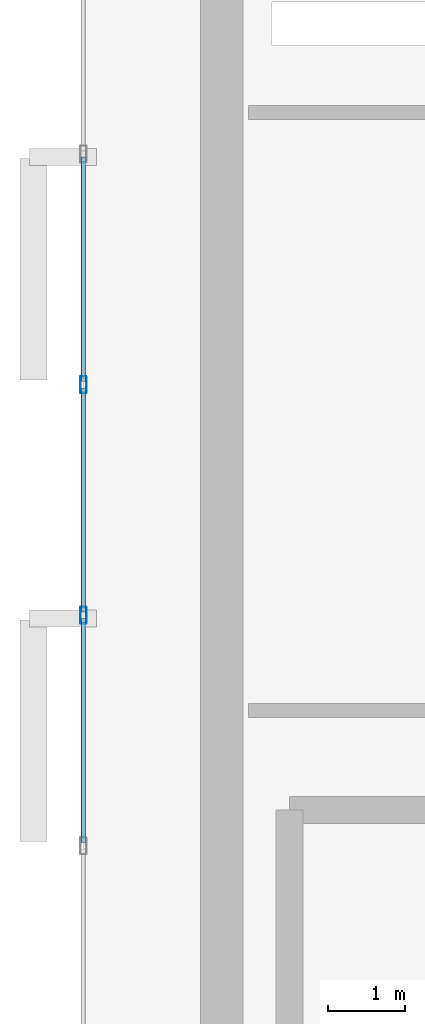
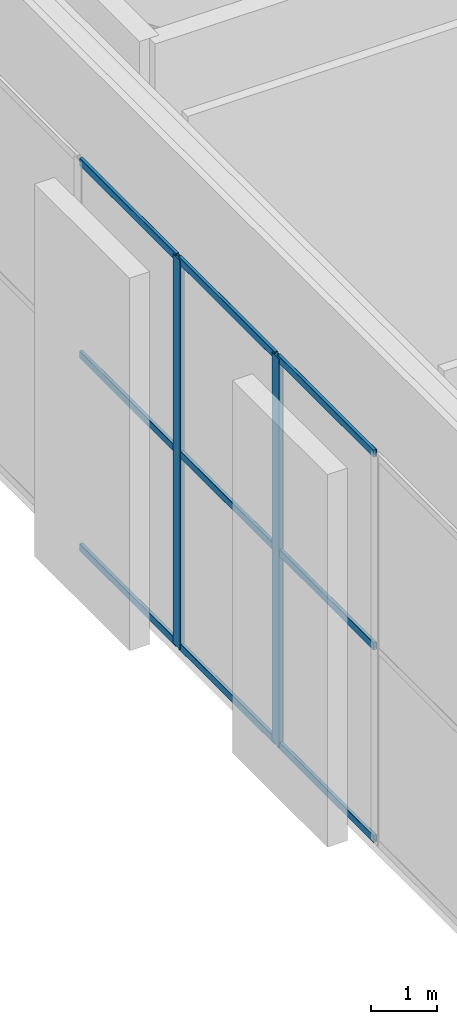
# One storey, part 3 of 20: 11 members, 1 element without a shape of its own.
"""IFC4 building model written with IfcOpenShell, lengths in metres."""

from ifc_helpers import new_model, si_unit, direction, frame, origin, origin_2d, place, context, subcontext, project, spatial, hollow_rectangle, extrude, material, layer, layer_set, material_profile, profile_set, type_object, element, aggregate, save


model = new_model("IFC4")

# Units and contexts
model_context = context("Model", 3, precision=1e-05, world=origin(), true_north=direction((0.0, 1.0)))
body_context = subcontext(model_context, "Body", "Model", "MODEL_VIEW")
ifc_project = project(units=[si_unit("LENGTHUNIT", "METRE"), si_unit("AREAUNIT", "SQUARE_METRE"), si_unit("VOLUMEUNIT", "CUBIC_METRE"), si_unit("PLANEANGLEUNIT", "RADIAN"), si_unit("MASSUNIT", "GRAM", prefix="KILO")], contexts=[model_context])

# Site, building, storey
site_placement = place(None, origin())
site = spatial("IfcSite", under=ifc_project, at=site_placement, CompositionType="ELEMENT")
building_placement = place(site_placement, origin())
building = spatial("IfcBuilding", under=site, at=building_placement, Name="An Khanh Terracotta Commons", CompositionType="ELEMENT")
storey_placement = place(building_placement, frame((0.0, 0.0, 308.0)))
storey = spatial("IfcBuildingStorey", under=building, at=storey_placement, Name="L79 Crown Damper Gallery", CompositionType="ELEMENT", Elevation=308.0)

# Curtain wall, members
ifc_material = material(Name="Anodised Aluminium 6063-T6", Category="aluminium")
ifc_layer = layer(ifc_material, 0.25, Name="Anodised Aluminium 6063-T6")
ifc_layer_set = layer_set([ifc_layer], Name="Anodised Aluminium 6063-T6")
curtain_wall_type = type_object("IfcCurtainWallType", Name="CW-SYS-05", PredefinedType="USERDEFINED", material=ifc_layer_set)
curtain_wall_placement = place(storey_placement, origin())
curtain_wall = element("IfcCurtainWall", 1, at=curtain_wall_placement, inside=storey, type_object=curtain_wall_type, Name="L79 Crown Damper Gallery CW-05 Unitised Curtain Wall CW-L79-24", ObjectType="UNITISED CURTAIN WALL", PredefinedType="USERDEFINED")
ifc_material_profile_1 = material_profile(ifc_material, hollow_rectangle(XDim=0.080078125, YDim=0.219970703125, WallThickness=0.0048828125, InnerFilletRadius=0.0048828125, OuterFilletRadius=0.010009765625, at=origin_2d()), Name="RHS220x80x5")
ifc_profile_set_1 = profile_set([ifc_material_profile_1], Name="Anodised Aluminium 6063-T6")
member_type_1 = type_object("IfcMemberType", Name="CWM-RHS220x80x5", PredefinedType="MULLION", material=ifc_profile_set_1)
member_1_placement = place(storey_placement, frame((19.800048828125, 24.0, 0.0), z_axis=(0.0, 0.0, 1.0), x_axis=(1.0, 0.0, 0.0)))
member_1 = element("IfcMember", 2, at=member_1_placement, type_object=member_type_1, Name="CW-05 mullion 4", PredefinedType="MULLION", context=body_context, shape_type="SweptSolid", body=[
    extrude(hollow_rectangle(XDim=0.080078125, YDim=0.219970703125, WallThickness=0.0048828125, InnerFilletRadius=0.0048828125, OuterFilletRadius=0.010009765625, at=origin_2d()), origin(), (0.0, 0.0, 1.0), 7.199951171875),
])
member_2_placement = place(storey_placement, frame((19.800048828125, 21.0, 0.0), z_axis=(0.0, 0.0, 1.0), x_axis=(1.0, 0.0, 0.0)))
member_2 = element("IfcMember", 3, at=member_2_placement, type_object=member_type_1, Name="CW-05 mullion 5", PredefinedType="MULLION", context=body_context, shape_type="SweptSolid", body=[
    extrude(hollow_rectangle(XDim=0.080078125, YDim=0.219970703125, WallThickness=0.0048828125, InnerFilletRadius=0.0048828125, OuterFilletRadius=0.010009765625, at=origin_2d()), origin(), (0.0, 0.0, 1.0), 7.199951171875),
])
ifc_material_profile_2 = material_profile(ifc_material, hollow_rectangle(XDim=0.06005859375, YDim=0.135009765625, WallThickness=0.003662109375, InnerFilletRadius=0.003662109375, OuterFilletRadius=0.007080078125, at=origin_2d()), Name="RHS135x60x3.6")
ifc_profile_set_2 = profile_set([ifc_material_profile_2], Name="Anodised Aluminium 6063-T6")
member_type_2 = type_object("IfcMemberType", Name="CWT-RHS135x60x3.6", PredefinedType="USERDEFINED", material=ifc_profile_set_2)
member_3_placement = place(storey_placement, frame((19.800048828125, 26.9599609375, 0.030029296875), z_axis=(0.0, -1.0, 0.0), x_axis=(1.0, 0.0, 0.0)))
member_3 = element("IfcMember", 4, at=member_3_placement, type_object=member_type_2, Name="CW-05 transom 3.1", ObjectType="TRANSOM", PredefinedType="USERDEFINED", context=body_context, shape_type="SweptSolid", body=[
    extrude(hollow_rectangle(XDim=0.06005859375, YDim=0.135009765625, WallThickness=0.003662109375, InnerFilletRadius=0.003662109375, OuterFilletRadius=0.007080078125, at=origin_2d()), origin(), (0.0, 0.0, 1.0), 2.919921875),
])
member_4_placement = place(storey_placement, frame((19.800048828125, 26.9599609375, 3.60009765625), z_axis=(0.0, -1.0, 0.0), x_axis=(1.0, 0.0, 0.0)))
member_4 = element("IfcMember", 5, at=member_4_placement, type_object=member_type_2, Name="CW-05 transom 3.2", ObjectType="TRANSOM", PredefinedType="USERDEFINED", context=body_context, shape_type="SweptSolid", body=[
    extrude(hollow_rectangle(XDim=0.06005859375, YDim=0.135009765625, WallThickness=0.003662109375, InnerFilletRadius=0.003662109375, OuterFilletRadius=0.007080078125, at=origin_2d()), origin(), (0.0, 0.0, 1.0), 2.919921875),
])
member_5_placement = place(storey_placement, frame((19.800048828125, 26.9599609375, 7.169921875), z_axis=(0.0, -1.0, 0.0), x_axis=(1.0, 0.0, 0.0)))
member_5 = element("IfcMember", 6, at=member_5_placement, type_object=member_type_2, Name="CW-05 transom 3.3", ObjectType="TRANSOM", PredefinedType="USERDEFINED", context=body_context, shape_type="SweptSolid", body=[
    extrude(hollow_rectangle(XDim=0.06005859375, YDim=0.135009765625, WallThickness=0.003662109375, InnerFilletRadius=0.003662109375, OuterFilletRadius=0.007080078125, at=origin_2d()), origin(), (0.0, 0.0, 1.0), 2.919921875),
])
member_6_placement = place(storey_placement, frame((19.800048828125, 23.9599609375, 0.030029296875), z_axis=(0.0, -1.0, 0.0), x_axis=(1.0, 0.0, 0.0)))
member_6 = element("IfcMember", 7, at=member_6_placement, type_object=member_type_2, Name="CW-05 transom 4.1", ObjectType="TRANSOM", PredefinedType="USERDEFINED", context=body_context, shape_type="SweptSolid", body=[
    extrude(hollow_rectangle(XDim=0.06005859375, YDim=0.135009765625, WallThickness=0.003662109375, InnerFilletRadius=0.003662109375, OuterFilletRadius=0.007080078125, at=origin_2d()), origin(), (0.0, 0.0, 1.0), 2.919921875),
])
member_7_placement = place(storey_placement, frame((19.800048828125, 23.9599609375, 3.60009765625), z_axis=(0.0, -1.0, 0.0), x_axis=(1.0, 0.0, 0.0)))
member_7 = element("IfcMember", 8, at=member_7_placement, type_object=member_type_2, Name="CW-05 transom 4.2", ObjectType="TRANSOM", PredefinedType="USERDEFINED", context=body_context, shape_type="SweptSolid", body=[
    extrude(hollow_rectangle(XDim=0.06005859375, YDim=0.135009765625, WallThickness=0.003662109375, InnerFilletRadius=0.003662109375, OuterFilletRadius=0.007080078125, at=origin_2d()), origin(), (0.0, 0.0, 1.0), 2.919921875),
])
member_8_placement = place(storey_placement, frame((19.800048828125, 23.9599609375, 7.169921875), z_axis=(0.0, -1.0, 0.0), x_axis=(1.0, 0.0, 0.0)))
member_8 = element("IfcMember", 9, at=member_8_placement, type_object=member_type_2, Name="CW-05 transom 4.3", ObjectType="TRANSOM", PredefinedType="USERDEFINED", context=body_context, shape_type="SweptSolid", body=[
    extrude(hollow_rectangle(XDim=0.06005859375, YDim=0.135009765625, WallThickness=0.003662109375, InnerFilletRadius=0.003662109375, OuterFilletRadius=0.007080078125, at=origin_2d()), origin(), (0.0, 0.0, 1.0), 2.919921875),
])
member_9_placement = place(storey_placement, frame((19.800048828125, 20.9599609375, 0.030029296875), z_axis=(0.0, -1.0, 0.0), x_axis=(1.0, 0.0, 0.0)))
member_9 = element("IfcMember", 10, at=member_9_placement, type_object=member_type_2, Name="CW-05 transom 5.1", ObjectType="TRANSOM", PredefinedType="USERDEFINED", context=body_context, shape_type="SweptSolid", body=[
    extrude(hollow_rectangle(XDim=0.06005859375, YDim=0.135009765625, WallThickness=0.003662109375, InnerFilletRadius=0.003662109375, OuterFilletRadius=0.007080078125, at=origin_2d()), origin(), (0.0, 0.0, 1.0), 2.919921875),
])
member_10_placement = place(storey_placement, frame((19.800048828125, 20.9599609375, 3.60009765625), z_axis=(0.0, -1.0, 0.0), x_axis=(1.0, 0.0, 0.0)))
member_10 = element("IfcMember", 11, at=member_10_placement, type_object=member_type_2, Name="CW-05 transom 5.2", ObjectType="TRANSOM", PredefinedType="USERDEFINED", context=body_context, shape_type="SweptSolid", body=[
    extrude(hollow_rectangle(XDim=0.06005859375, YDim=0.135009765625, WallThickness=0.003662109375, InnerFilletRadius=0.003662109375, OuterFilletRadius=0.007080078125, at=origin_2d()), origin(), (0.0, 0.0, 1.0), 2.919921875),
])
member_11_placement = place(storey_placement, frame((19.800048828125, 20.9599609375, 7.169921875), z_axis=(0.0, -1.0, 0.0), x_axis=(1.0, 0.0, 0.0)))
member_11 = element("IfcMember", 12, at=member_11_placement, type_object=member_type_2, Name="CW-05 transom 5.3", ObjectType="TRANSOM", PredefinedType="USERDEFINED", context=body_context, shape_type="SweptSolid", body=[
    extrude(hollow_rectangle(XDim=0.06005859375, YDim=0.135009765625, WallThickness=0.003662109375, InnerFilletRadius=0.003662109375, OuterFilletRadius=0.007080078125, at=origin_2d()), origin(), (0.0, 0.0, 1.0), 2.919921875),
])
aggregate(curtain_wall, [member_1, member_2, member_3, member_4, member_5, member_6, member_7, member_8, member_9, member_10, member_11])

save(model, "model.ifc")
